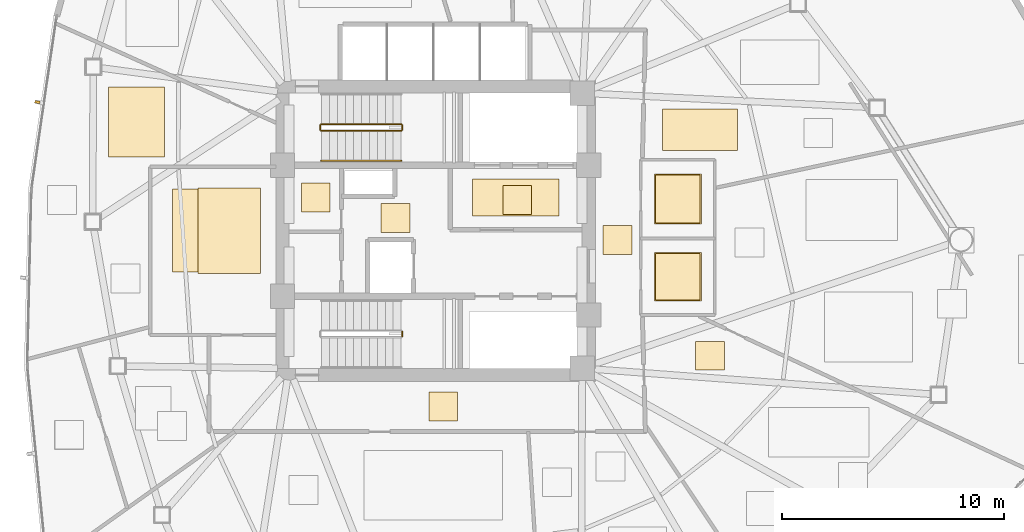
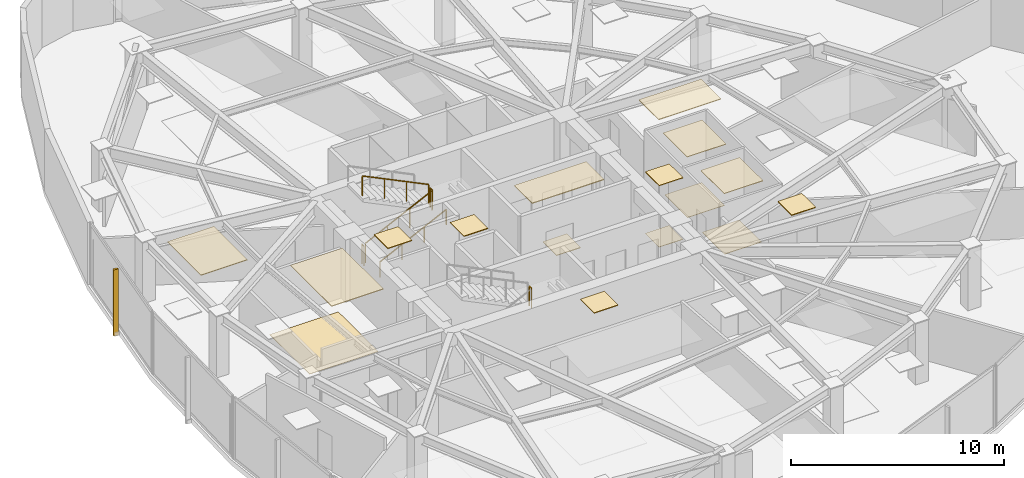
# One storey, part 14 of 16: 16 coverings, 6 railings, 1 shading device.
"""IFC4 building model written with IfcOpenShell, lengths in metres."""

from ifc_helpers import new_model, si_unit, direction, frame, origin, origin_2d, place, context, subcontext, project, spatial, polyline, rectangle, outline, extrude, source, transform, mapped, material, layer, layer_set, type_object, type_shapes, element, save


model = new_model("IFC4")

# Units and contexts
model_context = context("Model", 3, precision=1e-05, world=origin(), true_north=direction((0.0, 1.0)))
body_context = subcontext(model_context, "Body", "Model", "MODEL_VIEW")
ifc_project = project(units=[si_unit("LENGTHUNIT", "METRE"), si_unit("AREAUNIT", "SQUARE_METRE"), si_unit("VOLUMEUNIT", "CUBIC_METRE"), si_unit("PLANEANGLEUNIT", "RADIAN"), si_unit("MASSUNIT", "GRAM", prefix="KILO")], contexts=[model_context])

# Site, building, storey
site_placement = place(None, origin())
site = spatial("IfcSite", under=ifc_project, at=site_placement, CompositionType="ELEMENT")
building_placement = place(site_placement, origin())
building = spatial("IfcBuilding", under=site, at=building_placement, Name="Tavelor Broadcast Tower", CompositionType="ELEMENT")
storey_placement = place(building_placement, frame((0.0, 0.0, 138.699951171875)))
storey = spatial("IfcBuildingStorey", under=building, at=storey_placement, Name="L32", CompositionType="ELEMENT", Elevation=138.699951171875)

# Coverings
ifc_material_1 = material(Name="Copper-Bronze Anodized Aluminium", Category="aluminium")
ifc_layer_1 = layer(ifc_material_1, 0.044921875)
ifc_layer_set_1 = layer_set([ifc_layer_1], Name="Copper-Bronze Anodized Aluminium")
covering_type_1 = type_object("IfcCoveringType", Name="Anodised Bronze Linear Slatted Concourse Ceiling 45 mm", PredefinedType="CEILING", material=ifc_layer_set_1)
covering_1_placement = place(storey_placement, frame((0.0, 0.0, 3.505126953125)))
element("IfcCovering", 1, at=covering_1_placement, inside=storey, type_object=covering_type_1, Name="L32 Suspended Acoustic Ceiling 1285", PredefinedType="CEILING", context=body_context, shape_type="SweptSolid", body=[
    extrude(outline(polyline([(51.659912109375, 45.654296875), (55.55712890625, 45.654296875), (55.55712890625, 47.331787109375), (51.659912109375, 47.331787109375), (51.659912109375, 45.654296875)])), origin(), (0.0, 0.0, 1.0), 0.044921875),
])
covering_2_placement = place(storey_placement, frame((0.0, 0.0, 3.505126953125)))
element("IfcCovering", 2, at=covering_2_placement, inside=storey, type_object=covering_type_1, Name="L32 Suspended Acoustic Ceiling 1286", PredefinedType="CEILING", context=body_context, shape_type="SweptSolid", body=[
    extrude(outline(polyline([(47.5400390625, 44.919921875), (48.840087890625, 44.919921875), (48.840087890625, 46.219970703125), (47.5400390625, 46.219970703125), (47.5400390625, 44.919921875)])), origin(), (0.0, 0.0, 1.0), 0.044921875),
])

# Railing
ifc_material_2 = material(Name="Steel S355", Category="steel")
railing_type_1 = type_object("IfcRailingType", Name="Continuous Brushed Stainless Handrail 900 mm", PredefinedType="HANDRAIL", material=ifc_material_2)
railing_1_placement = place(storey_placement, frame((44.85009765625, 48.14990234375, 0.175048828125)))
element("IfcRailing", 3, at=railing_1_placement, inside=storey, type_object=railing_type_1, Name="L32 ST1 stair handrail 1", PredefinedType="HANDRAIL", context=body_context, shape_type="SweptSolid", body=[
    extrude(rectangle(XDim=0.048095703125, YDim=0.048095703125, at=origin_2d()), frame((0.0, 0.0, 0.8759765625), z_axis=(0.899360859046, 0.0, 0.437207096483), x_axis=(0.0, 1.0, 0.0)), (0.0, 0.0, 1.0), 4.002685546875),
    extrude(rectangle(XDim=0.0419921875, YDim=0.0419921875, at=origin_2d()), origin(), (0.0, 0.0, 1.0), 0.851806640625),
    extrude(rectangle(XDim=0.0419921875, YDim=0.0419921875, at=origin_2d()), frame((1.199951171875, 0.0, 0.583251953125)), (0.0, 0.0, 1.0), 0.851806640625),
    extrude(rectangle(XDim=0.0419921875, YDim=0.0419921875, at=origin_2d()), frame((2.39990234375, 0.0, 1.166748046875)), (0.0, 0.0, 1.0), 0.851806640625),
    extrude(rectangle(XDim=0.0419921875, YDim=0.0419921875, at=origin_2d()), frame((3.599853515625, 0.0, 1.75)), (0.0, 0.0, 1.0), 0.851806640625),
])

# Coverings
ifc_material_3 = material(Name="Architectural Anodized Aluminium", Category="aluminium")
ifc_layer_2 = layer(ifc_material_3, 0.034912109375)
ifc_layer_set_2 = layer_set([ifc_layer_2], Name="Architectural Anodized Aluminium")
covering_type_2 = type_object("IfcCoveringType", Name="Demountable Metal Tile Corridor Ceiling 35 mm", PredefinedType="CEILING", material=ifc_layer_set_2)
covering_3_placement = place(storey_placement, frame((0.0, 0.0, 3.51513671875)))
element("IfcCovering", 4, at=covering_3_placement, inside=storey, type_object=covering_type_2, Name="L32 Suspended Acoustic Ceiling 1288", PredefinedType="CEILING", context=body_context, shape_type="SweptSolid", body=[
    extrude(outline(polyline([(57.5400390625, 43.925048828125), (58.840087890625, 43.925048828125), (58.840087890625, 45.22509765625), (57.5400390625, 45.22509765625), (57.5400390625, 43.925048828125)])), origin(), (0.0, 0.0, 1.0), 0.034912109375),
])
covering_4_placement = place(storey_placement, frame((0.0, 0.0, 3.51513671875)))
element("IfcCovering", 5, at=covering_4_placement, inside=storey, type_object=covering_type_2, Name="L32 Suspended Acoustic Ceiling 1289", PredefinedType="CEILING", context=body_context, shape_type="SweptSolid", body=[
    extrude(outline(polyline([(49.694091796875, 36.425048828125), (50.994140625, 36.425048828125), (50.994140625, 37.72509765625), (49.694091796875, 37.72509765625), (49.694091796875, 36.425048828125)])), origin(), (0.0, 0.0, 1.0), 0.034912109375),
])
ifc_material_4 = material(Name="Acoustic Nylon Carpet Tile")
ifc_layer_3 = layer(ifc_material_4, 0.02001953125)
ifc_layer_set_3 = layer_set([ifc_layer_3], Name="Acoustic Nylon Carpet Tile")
covering_type_3 = type_object("IfcCoveringType", Name="Heavy-Duty Acoustic Broadcast Carpet Tile 20 mm", PredefinedType="FLOORING", material=ifc_layer_set_3)
covering_5_placement = place(storey_placement, origin())
element("IfcCovering", 6, at=covering_5_placement, inside=storey, type_object=covering_type_3, Name="L32 Broadcast Floor Finish 0449", PredefinedType="FLOORING", context=body_context, shape_type="SweptSolid", body=[
    extrude(outline(polyline([(57.5400390625, 43.925048828125), (58.840087890625, 43.925048828125), (58.840087890625, 45.22509765625), (57.5400390625, 45.22509765625), (57.5400390625, 43.925048828125)])), origin(), (0.0, 0.0, 1.0), 0.02001953125),
])
covering_6_placement = place(storey_placement, origin())
element("IfcCovering", 7, at=covering_6_placement, inside=storey, type_object=covering_type_3, Name="L32 Broadcast Floor Finish 0450", PredefinedType="FLOORING", context=body_context, shape_type="SweptSolid", body=[
    extrude(outline(polyline([(38.143798828125, 43.12890625), (41.856201171875, 43.12890625), (41.856201171875, 46.87060546875), (38.143798828125, 46.87060546875), (38.143798828125, 43.12890625)])), origin(), (0.0, 0.0, 1.0), 0.02001953125),
])
ifc_material_5 = material(Name="Honed Natural Limestone Tile", Category="masonry")
ifc_layer_4 = layer(ifc_material_5, 0.030029296875)
ifc_layer_set_4 = layer_set([ifc_layer_4], Name="Honed Natural Limestone Tile")
covering_type_4 = type_object("IfcCoveringType", Name="Honed Jerusalem Limestone Concourse Flooring 30 mm", PredefinedType="FLOORING", material=ifc_layer_set_4)
covering_7_placement = place(storey_placement, origin())
element("IfcCovering", 8, at=covering_7_placement, inside=storey, type_object=covering_type_4, Name="L32 Broadcast Floor Finish 0448", PredefinedType="FLOORING", context=body_context, shape_type="SweptSolid", body=[
    extrude(outline(polyline([(53.030029296875, 45.728515625), (54.330078125, 45.728515625), (54.330078125, 47.028564453125), (53.030029296875, 47.028564453125), (53.030029296875, 45.728515625)])), origin(), (0.0, 0.0, 1.0), 0.030029296875),
])
ifc_layer_5 = layer(ifc_material_3, 0.030029296875)
ifc_layer_set_5 = layer_set([ifc_layer_5], Name="Architectural Anodized Aluminium")
covering_type_5 = type_object("IfcCoveringType", Name="Moisture-Resistant Washroom Ceiling 30 mm", PredefinedType="CEILING", material=ifc_layer_set_5)
covering_8_placement = place(storey_placement, frame((0.0, 0.0, 3.52001953125)))
element("IfcCovering", 9, at=covering_8_placement, inside=storey, type_object=covering_type_5, Name="L32 Suspended Acoustic Ceiling 1291", PredefinedType="CEILING", context=body_context, shape_type="SweptSolid", body=[
    extrude(outline(polyline([(59.85302734375, 41.828369140625), (61.967041015625, 41.828369140625), (61.967041015625, 44.021484375), (59.85302734375, 44.021484375), (59.85302734375, 41.828369140625)])), origin(), (0.0, 0.0, 1.0), 0.030029296875),
])
covering_9_placement = place(storey_placement, frame((0.0, 0.0, 3.52001953125)))
element("IfcCovering", 10, at=covering_9_placement, inside=storey, type_object=covering_type_5, Name="L32 Suspended Acoustic Ceiling 1292", PredefinedType="CEILING", context=body_context, shape_type="SweptSolid", body=[
    extrude(outline(polyline([(59.85302734375, 45.29248046875), (61.967041015625, 45.29248046875), (61.967041015625, 47.5576171875), (59.85302734375, 47.5576171875), (59.85302734375, 45.29248046875)])), origin(), (0.0, 0.0, 1.0), 0.030029296875),
])
ifc_material_6 = material(Name="Slip-Resistant Porcelain Tile")
ifc_layer_6 = layer(ifc_material_6, 0.02490234375)
ifc_layer_set_6 = layer_set([ifc_layer_6], Name="Slip-Resistant Porcelain Tile")
covering_type_6 = type_object("IfcCoveringType", Name="Slip-Resistant Porcelain Wet-Area Floor Tile 25 mm", PredefinedType="FLOORING", material=ifc_layer_set_6)
covering_10_placement = place(storey_placement, origin())
element("IfcCovering", 11, at=covering_10_placement, inside=storey, type_object=covering_type_6, Name="L32 Broadcast Floor Finish 0451", PredefinedType="FLOORING", context=body_context, shape_type="SweptSolid", body=[
    extrude(outline(polyline([(59.91064453125, 41.885986328125), (61.909423828125, 41.885986328125), (61.909423828125, 43.964111328125), (59.91064453125, 43.964111328125), (59.91064453125, 41.885986328125)])), origin(), (0.0, 0.0, 1.0), 0.025146484375),
])
covering_11_placement = place(storey_placement, origin())
element("IfcCovering", 12, at=covering_11_placement, inside=storey, type_object=covering_type_6, Name="L32 Broadcast Floor Finish 0452", PredefinedType="FLOORING", context=body_context, shape_type="SweptSolid", body=[
    extrude(outline(polyline([(59.91064453125, 45.35009765625), (61.909423828125, 45.35009765625), (61.909423828125, 47.5), (59.91064453125, 47.5), (59.91064453125, 45.35009765625)])), origin(), (0.0, 0.0, 1.0), 0.025146484375),
])

# Railings
railing_type_2 = type_object("IfcRailingType", Name="Stairwell Steel Safety Guardrail 1150 mm", PredefinedType="GUARDRAIL", material=ifc_material_2)
railing_2_placement = place(storey_placement, frame((44.85009765625, 49.5, 0.175048828125)))
element("IfcRailing", 13, at=railing_2_placement, inside=storey, type_object=railing_type_2, Name="L32 ST1 stair guard 1", PredefinedType="GUARDRAIL", context=body_context, shape_type="SweptSolid", body=[
    extrude(rectangle(XDim=0.048095703125, YDim=0.048095703125, at=origin_2d()), frame((0.0, 0.0, 1.1259765625), z_axis=(0.899360859046, 0.0, 0.437207096483), x_axis=(0.0, 1.0, 0.0)), (0.0, 0.0, 1.0), 4.002685546875),
    extrude(rectangle(XDim=0.0419921875, YDim=0.0419921875, at=origin_2d()), origin(), (0.0, 0.0, 1.0), 1.101806640625),
    extrude(rectangle(XDim=0.0419921875, YDim=0.0419921875, at=origin_2d()), frame((1.199951171875, 0.0, 0.583251953125)), (0.0, 0.0, 1.0), 1.101806640625),
    extrude(rectangle(XDim=0.0419921875, YDim=0.0419921875, at=origin_2d()), frame((2.39990234375, 0.0, 1.166748046875)), (0.0, 0.0, 1.0), 1.101806640625),
    extrude(rectangle(XDim=0.0419921875, YDim=0.0419921875, at=origin_2d()), frame((3.599853515625, 0.0, 1.75)), (0.0, 0.0, 1.0), 1.101806640625),
])
railing_3_placement = place(storey_placement, frame((48.5, 49.550048828125, 1.925048828125)))
element("IfcRailing", 14, at=railing_3_placement, inside=storey, type_object=railing_type_2, Name="L32 ST1 stair guard 2", PredefinedType="GUARDRAIL", context=body_context, shape_type="SweptSolid", body=[
    extrude(rectangle(XDim=0.048095703125, YDim=0.048095703125, at=origin_2d()), frame((0.0, 0.0, 1.1259765625), z_axis=(0.0, 1.0, 0.0), x_axis=(-1.0, 0.0, 0.0)), (0.0, 0.0, 1.0), 0.199951171875),
    extrude(rectangle(XDim=0.0419921875, YDim=0.0419921875, at=origin_2d()), origin(), (0.0, 0.0, 1.0), 1.101806640625),
    extrude(rectangle(XDim=0.0419921875, YDim=0.0419921875, at=origin_2d()), frame((0.0, 0.199951171875, 0.0)), (0.0, 0.0, 1.0), 1.101806640625),
])
railing_4_placement = place(storey_placement, frame((48.449951171875, 49.800048828125, 2.10009765625)))
element("IfcRailing", 15, at=railing_4_placement, inside=storey, type_object=railing_type_2, Name="L32 ST1 stair guard 3", PredefinedType="GUARDRAIL", context=body_context, shape_type="SweptSolid", body=[
    extrude(rectangle(XDim=0.048095703125, YDim=0.048095703125, at=origin_2d()), frame((0.0, 0.0, 1.1259765625), z_axis=(-0.899360859046, 0.0, 0.437207096483), x_axis=(0.0, -1.0, 0.0)), (0.0, 0.0, 1.0), 4.002685546875),
    extrude(rectangle(XDim=0.0419921875, YDim=0.0419921875, at=origin_2d()), origin(), (0.0, 0.0, 1.0), 1.101806640625),
    extrude(rectangle(XDim=0.0419921875, YDim=0.0419921875, at=origin_2d()), frame((-1.199951171875, 0.0, 0.583251953125)), (0.0, 0.0, 1.0), 1.101806640625),
    extrude(rectangle(XDim=0.0419921875, YDim=0.0419921875, at=origin_2d()), frame((-2.39990234375, 0.0, 1.166748046875)), (0.0, 0.0, 1.0), 1.101806640625),
    extrude(rectangle(XDim=0.0419921875, YDim=0.0419921875, at=origin_2d()), frame((-3.599853515625, 0.0, 1.75)), (0.0, 0.0, 1.0), 1.101806640625),
])
for number, where, name in (
    (16, (44.800048828125, 49.550048828125, 0.0), "L32 ST1 stair guard 4"),
    (17, (48.5, 40.25, 1.925048828125), "L32 ST2 stair guard 2"),
):
    element("IfcRailing", number, at=place(storey_placement, frame(where)), inside=storey, type_object=railing_type_2, Name=name, PredefinedType="GUARDRAIL", context=body_context, shape_type="SweptSolid", body=[
        extrude(rectangle(XDim=0.048095703125, YDim=0.048095703125, at=origin_2d()), frame((0.0, 0.0, 1.1259765625), z_axis=(0.0, 1.0, 0.0), x_axis=(-1.0, 0.0, 0.0)), (0.0, 0.0, 1.0), 0.199951171875),
        extrude(rectangle(XDim=0.0419921875, YDim=0.0419921875, at=origin_2d()), origin(), (0.0, 0.0, 1.0), 1.101806640625),
        extrude(rectangle(XDim=0.0419921875, YDim=0.0419921875, at=origin_2d()), frame((0.0, 0.199951171875, 0.0)), (0.0, 0.0, 1.0), 1.101806640625),
    ])

# Coverings
ifc_material_7 = material(Name="Acoustic Mineral Fibre Tile")
ifc_layer_7 = layer(ifc_material_7, 0.0400390625)
ifc_layer_set_7 = layer_set([ifc_layer_7], Name="Acoustic Mineral Fibre Tile")
covering_type_7 = type_object("IfcCoveringType", Name="Suspended Acoustic Mineral-Fibre Office Ceiling 40 mm", PredefinedType="CEILING", material=ifc_layer_set_7)
covering_12_placement = place(storey_placement, frame((0.0, 0.0, 3.510009765625)))
element("IfcCovering", 18, at=covering_12_placement, inside=storey, type_object=covering_type_7, Name="L32 Suspended Acoustic Ceiling 1287", PredefinedType="CEILING", context=body_context, shape_type="SweptSolid", body=[
    extrude(outline(polyline([(43.951416015625, 45.843017578125), (45.25146484375, 45.843017578125), (45.25146484375, 47.14306640625), (43.951416015625, 47.14306640625), (43.951416015625, 45.843017578125)])), origin(), (0.0, 0.0, 1.0), 0.0400390625),
])
covering_13_placement = place(storey_placement, frame((0.0, 0.0, 3.510009765625)))
element("IfcCovering", 19, at=covering_13_placement, inside=storey, type_object=covering_type_7, Name="L32 Suspended Acoustic Ceiling 1290", PredefinedType="CEILING", context=body_context, shape_type="SweptSolid", body=[
    extrude(outline(polyline([(39.2998046875, 43.0712890625), (42.111328125, 43.0712890625), (42.111328125, 46.927978515625), (39.2998046875, 46.927978515625), (39.2998046875, 43.0712890625)])), origin(), (0.0, 0.0, 1.0), 0.0400390625),
])
covering_14_placement = place(storey_placement, frame((0.0, 0.0, 3.510009765625)))
element("IfcCovering", 20, at=covering_14_placement, inside=storey, type_object=covering_type_7, Name="L32 Suspended Acoustic Ceiling 1293", PredefinedType="CEILING", context=body_context, shape_type="SweptSolid", body=[
    extrude(outline(polyline([(61.71826171875, 38.717529296875), (63.018310546875, 38.717529296875), (63.018310546875, 40.017578125), (61.71826171875, 40.017578125), (61.71826171875, 38.717529296875)])), origin(), (0.0, 0.0, 1.0), 0.0400390625),
])
covering_15_placement = place(storey_placement, frame((0.0, 0.0, 3.510009765625)))
element("IfcCovering", 21, at=covering_15_placement, inside=storey, type_object=covering_type_7, Name="L32 Suspended Acoustic Ceiling 1310", PredefinedType="CEILING", context=body_context, shape_type="SweptSolid", body=[
    extrude(outline(polyline([(35.260498046875, 48.33056640625), (37.779052734375, 48.33056640625), (37.779052734375, 51.481201171875), (35.260498046875, 51.481201171875), (35.260498046875, 48.33056640625)])), origin(), (0.0, 0.0, 1.0), 0.0400390625),
])
covering_16_placement = place(storey_placement, frame((0.0, 0.0, 3.510009765625)))
element("IfcCovering", 22, at=covering_16_placement, inside=storey, type_object=covering_type_7, Name="L32 Suspended Acoustic Ceiling 1326", PredefinedType="CEILING", context=body_context, shape_type="SweptSolid", body=[
    extrude(outline(polyline([(60.2236328125, 48.614990234375), (63.599365234375, 48.614990234375), (63.599365234375, 50.478271484375), (60.2236328125, 50.478271484375), (60.2236328125, 48.614990234375)])), origin(), (0.0, 0.0, 1.0), 0.0400390625),
])

# Shading device
ifc_material_8 = material(Name="Kiln-Fired Glazed Terracotta", Category="masonry")
shading_device_type = type_object("IfcShadingDeviceType", Name="Extruded Terracotta Baguette Sun-Screen 110x240", PredefinedType="JALOUSIE", material=ifc_material_8)
shared_shape = source(origin(), body_context, "Body", "SweptSolid", [
    extrude(rectangle(XDim=0.110107421875, YDim=0.239990234375, at=origin_2d()), origin(), (0.0, 0.0, 1.0), 3.7900390625),
])
type_shapes(shading_device_type, [shared_shape])
shading_device_placement = place(storey_placement, frame((32.059814453125, 50.793212890625, -0.260009765625), z_axis=(0.0, 0.0, 1.0), x_axis=(-0.143838066745, -0.989601238154, 0.0)))
element("IfcShadingDevice", 23, at=shading_device_placement, inside=storey, type_object=shading_device_type, Name="L32 Terracotta Baguette Fin 313", PredefinedType="JALOUSIE", context=body_context, shape_type="MappedRepresentation", body=[
    mapped(shared_shape, transform((0.0, 0.0, 0.0), scale=1.0)),
])

save(model, "model.ifc")
